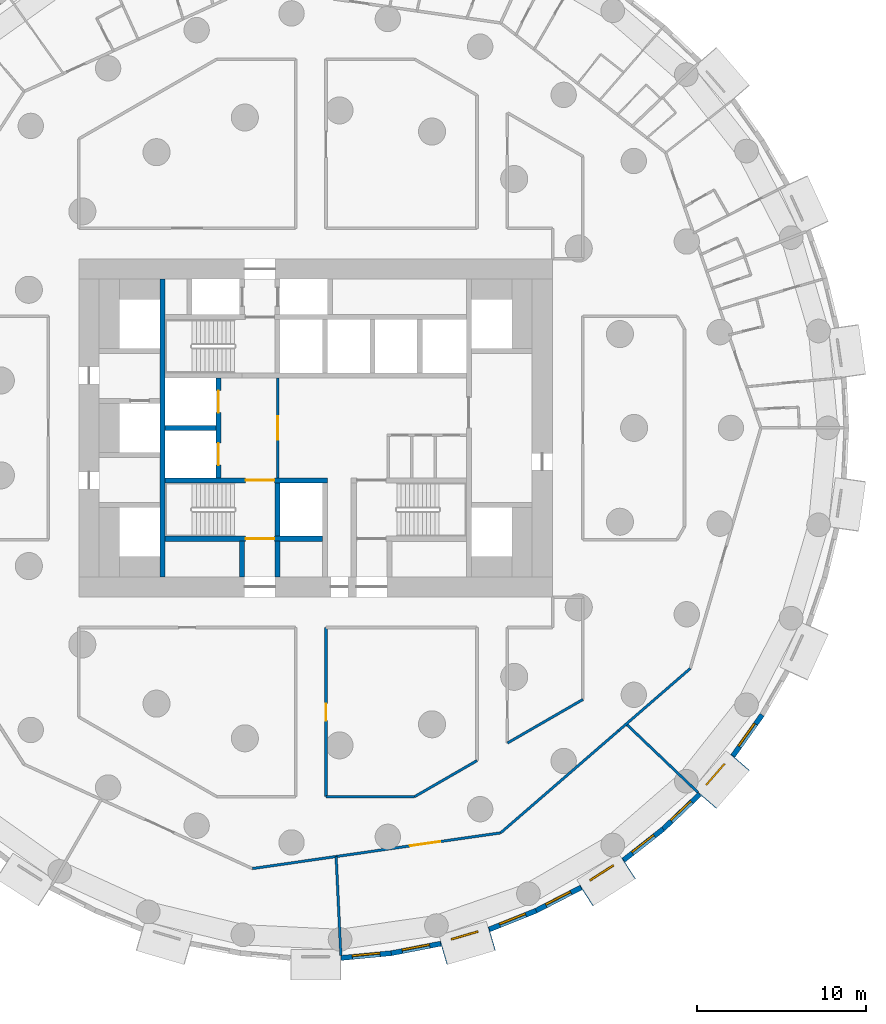
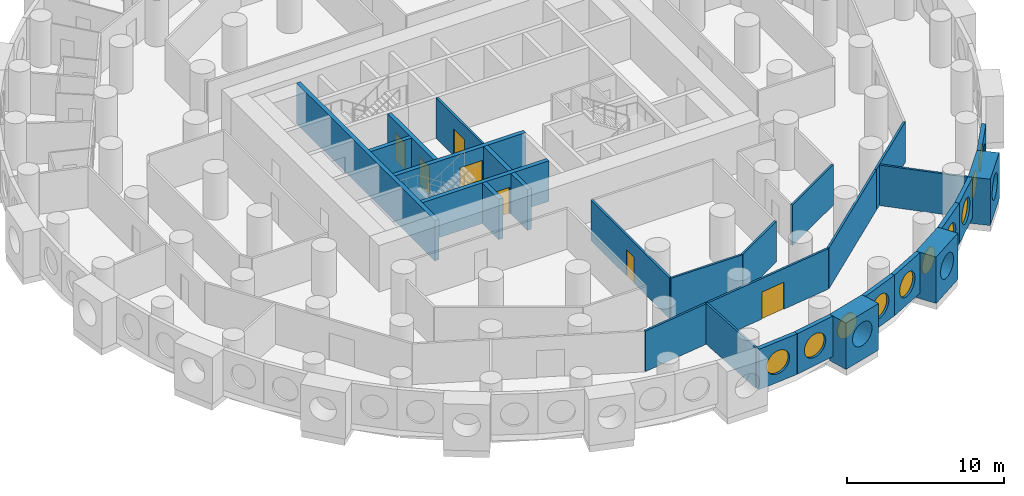
# One storey, part 4 of 12: 28 walls, 10 windows, 7 doors, 17 openings.
"""IFC4 building model written with IfcOpenShell, lengths in metres."""

from ifc_helpers import new_model, si_unit, direction, frame, frame_2d, origin, origin_2d, place, context, subcontext, project, spatial, rectangle, circle, extrude, material, layer, layer_set, type_object, element, fill, save


model = new_model("IFC4")

# Units and contexts
model_context = context("Model", 3, precision=1e-05, world=origin(), true_north=direction((0.0, 1.0)))
body_context = subcontext(model_context, "Body", "Model", "MODEL_VIEW")
ifc_project = project(units=[si_unit("LENGTHUNIT", "METRE"), si_unit("AREAUNIT", "SQUARE_METRE"), si_unit("VOLUMEUNIT", "CUBIC_METRE"), si_unit("PLANEANGLEUNIT", "RADIAN"), si_unit("MASSUNIT", "GRAM", prefix="KILO")], contexts=[model_context])

# Site, building, storey
site_placement = place(None, origin())
site = spatial("IfcSite", under=ifc_project, at=site_placement, CompositionType="ELEMENT")
building_placement = place(site_placement, origin())
building = spatial("IfcBuilding", under=site, at=building_placement, Name="Tracery Tower", CompositionType="ELEMENT")
storey_placement = place(building_placement, frame((0.0, 0.0, 46.199951171875)))
storey = spatial("IfcBuildingStorey", under=building, at=storey_placement, Name="L10", CompositionType="ELEMENT", Elevation=46.199951171875)

# Wall, opening, door
ifc_material_1 = material(Name="Plasterboard on steel studs", Category="steel")
ifc_layer_1 = layer(ifc_material_1, 0.14990234375)
ifc_layer_set_1 = layer_set([ifc_layer_1], Name="Core lobby partition 150")
wall_type_1 = type_object("IfcWallType", Name="Core lobby partition 150", PredefinedType="SOLIDWALL", material=ifc_layer_set_1)
wall_1_placement = place(storey_placement, frame((-2.25, -2.949951171875, 0.0), z_axis=(0.0, 0.0, 1.0), x_axis=(0.0, 1.0, 0.0)))
wall_1 = element("IfcWall", 1, at=wall_1_placement, inside=storey, type_object=wall_type_1, Name="L10 FF lobby E", PredefinedType="SOLIDWALL", context=body_context, shape_type="SweptSolid", body=[
    extrude(rectangle(XDim=5.89990234375, YDim=0.14990234375, at=frame_2d((2.949951171875, 0.0))), origin(), (0.0, 0.0, 1.0), 3.150146484375),
])
opening_1_placement = place(wall_1_placement, frame((2.25, 0.0, 0.0)))
opening_1 = element("IfcOpeningElement", 2, at=opening_1_placement, cuts=wall_1, Name="Opening KD8", PredefinedType="OPENING", context=body_context, shape_type="SweptSolid", body=[
    extrude(rectangle(XDim=1.39990234375, YDim=2.10009765625, at=frame_2d((0.699951171875, 1.050048828125))), frame((0.0, 0.074951171875, 0.0), z_axis=(0.0, -1.0, 0.0), x_axis=(1.0, 0.0, 0.0)), (0.0, 0.0, 1.0), 0.14990234375),
])
ifc_material_2 = material(Name="Steel fire door", Category="steel")
door_type_1 = type_object("IfcDoorType", Name="Core lobby door 1400 double", OperationType="NOTDEFINED", PredefinedType="DOOR", material=ifc_material_2)
door_1_placement = place(opening_1_placement, origin())
door_1 = element("IfcDoor", 3, at=door_1_placement, inside=storey, type_object=door_type_1, Name="Fire-fighting lobby door", OperationType="DOUBLE_DOOR_SINGLE_SWING", OverallHeight=2.10009765625, OverallWidth=1.39990234375, PredefinedType="DOOR", context=body_context, shape_type="SweptSolid", body=[
    extrude(rectangle(XDim=1.39990234375, YDim=2.10009765625, at=frame_2d((0.699951171875, 1.050048828125))), frame((0.0, 0.02490234375, 0.0), z_axis=(0.0, -1.0, 0.0), x_axis=(1.0, 0.0, 0.0)), (0.0, 0.0, 1.0), 0.050048828125),
])
fill(opening_1, door_1)

# Wall, opening, window
ifc_material_3 = material(Name="Precast concrete C50/60", Category="concrete")
ifc_layer_2 = layer(ifc_material_3, 1.449951171875)
ifc_layer_set_2 = layer_set([ifc_layer_2], Name="Deep-set bay unit 3000 x 3600, slab edge 450")
wall_type_2 = type_object("IfcWallType", Name="Deep-set bay unit 3000 x 3600, slab edge 450", PredefinedType="ELEMENTEDWALL", material=ifc_layer_set_2)
wall_2_placement = place(storey_placement, frame((7.552001953125, -31.043701171875, -0.449951171875), z_axis=(0.0, 0.0, 1.0), x_axis=(0.959489813418, 0.281743319258, 0.0)))
wall_2 = element("IfcWall", 4, at=wall_2_placement, inside=storey, type_object=wall_type_2, Name="Deep-set bay unit 53 at L10", PredefinedType="ELEMENTEDWALL", context=body_context, shape_type="SweptSolid", body=[
    extrude(rectangle(XDim=3.0, YDim=1.449951171875, at=frame_2d((1.5, 0.0))), origin(), (0.0, 0.0, 1.0), 3.60009765625),
])
opening_2_placement = place(wall_2_placement, frame((1.5, 0.0, 2.0)))
opening_2 = element("IfcOpeningElement", 5, at=opening_2_placement, cuts=wall_2, Name="Opening WN1", PredefinedType="OPENING", context=body_context, shape_type="SweptSolid", body=[
    extrude(circle(Radius=0.9000244140625, at=origin_2d()), frame((0.0, 0.73486328125, 0.0), z_axis=(0.0, -1.0, 0.0), x_axis=(1.0, 0.0, 0.0)), (0.0, 0.0, 1.0), 1.469970703125),
])
ifc_material_4 = material(Name="Aluminium frame with tinted double glazing", Category="aluminium")
window_type = type_object("IfcWindowType", Name="Round window 1800", PartitioningType="SINGLE_PANEL", PredefinedType="WINDOW", material=ifc_material_4)
window_1_placement = place(opening_2_placement, origin())
window_1 = element("IfcWindow", 6, at=window_1_placement, inside=storey, type_object=window_type, Name="Round window 53 at L10", OverallHeight=1.800048828125, OverallWidth=1.800048828125, PartitioningType="SINGLE_PANEL", PredefinedType="WINDOW", context=body_context, shape_type="SweptSolid", body=[
    extrude(circle(Radius=0.9000244140625, at=origin_2d()), frame((0.0, 0.69482421875, 0.0), z_axis=(0.0, -1.0, 0.0), x_axis=(1.0, 0.0, 0.0)), (0.0, 0.0, 1.0), 0.10009765625),
])
fill(opening_2, window_1)

wall_3_placement = place(storey_placement, frame((15.9921875, -27.65869140625, -0.449951171875), z_axis=(0.0, 0.0, 1.0), x_axis=(0.841223422347, 0.540687667415, 0.0)))
wall_3 = element("IfcWall", 7, at=wall_3_placement, inside=storey, type_object=wall_type_2, Name="Deep-set bay unit 56 at L10", PredefinedType="ELEMENTEDWALL", context=body_context, shape_type="SweptSolid", body=[
    extrude(rectangle(XDim=3.0, YDim=1.449951171875, at=frame_2d((1.5, 0.0))), origin(), (0.0, 0.0, 1.0), 3.60009765625),
])
opening_3_placement = place(wall_3_placement, frame((1.5, 0.0, 2.0)))
opening_3 = element("IfcOpeningElement", 8, at=opening_3_placement, cuts=wall_3, Name="Opening WN1", PredefinedType="OPENING", context=body_context, shape_type="SweptSolid", body=[
    extrude(circle(Radius=0.9000244140625, at=origin_2d()), frame((0.0, 0.73486328125, 0.0), z_axis=(0.0, -1.0, 0.0), x_axis=(1.0, 0.0, 0.0)), (0.0, 0.0, 1.0), 1.469970703125),
])
window_2_placement = place(opening_3_placement, origin())
window_2 = element("IfcWindow", 9, at=window_2_placement, inside=storey, type_object=window_type, Name="Round window 56 at L10", OverallHeight=1.800048828125, OverallWidth=1.800048828125, PartitioningType="SINGLE_PANEL", PredefinedType="WINDOW", context=body_context, shape_type="SweptSolid", body=[
    extrude(circle(Radius=0.9000244140625, at=origin_2d()), frame((0.0, 0.69482421875, 0.0), z_axis=(0.0, -1.0, 0.0), x_axis=(1.0, 0.0, 0.0)), (0.0, 0.0, 1.0), 0.10009765625),
])
fill(opening_3, window_2)

wall_4_placement = place(storey_placement, frame((23.13671875, -22.03271484375, -0.449951171875), z_axis=(0.0, 0.0, 1.0), x_axis=(0.654890259022, 0.75572398972, 0.0)))
wall_4 = element("IfcWall", 10, at=wall_4_placement, inside=storey, type_object=wall_type_2, Name="Deep-set bay unit 59 at L10", PredefinedType="ELEMENTEDWALL", context=body_context, shape_type="SweptSolid", body=[
    extrude(rectangle(XDim=3.0, YDim=1.449951171875, at=frame_2d((1.5, 0.0))), origin(), (0.0, 0.0, 1.0), 3.60009765625),
])
opening_4_placement = place(wall_4_placement, frame((1.5, 0.0, 2.0)))
opening_4 = element("IfcOpeningElement", 11, at=opening_4_placement, cuts=wall_4, Name="Opening WN1", PredefinedType="OPENING", context=body_context, shape_type="SweptSolid", body=[
    extrude(circle(Radius=0.9000244140625, at=origin_2d()), frame((0.0, 0.73486328125, 0.0), z_axis=(0.0, -1.0, 0.0), x_axis=(1.0, 0.0, 0.0)), (0.0, 0.0, 1.0), 1.469970703125),
])
window_3_placement = place(opening_4_placement, origin())
window_3 = element("IfcWindow", 12, at=window_3_placement, inside=storey, type_object=window_type, Name="Round window 59 at L10", OverallHeight=1.800048828125, OverallWidth=1.800048828125, PartitioningType="SINGLE_PANEL", PredefinedType="WINDOW", context=body_context, shape_type="SweptSolid", body=[
    extrude(circle(Radius=0.9000244140625, at=origin_2d()), frame((0.0, 0.69482421875, 0.0), z_axis=(0.0, -1.0, 0.0), x_axis=(1.0, 0.0, 0.0)), (0.0, 0.0, 1.0), 0.10009765625),
])
fill(opening_4, window_3)

ifc_material_5 = material(Name="Precast concrete C50/60", Category="concrete")
ifc_layer_3 = layer(ifc_material_5, 0.300048828125)
ifc_layer_set_3 = layer_set([ifc_layer_3], Name="Facade panel 3000 x 3150")
wall_type_3 = type_object("IfcWallType", Name="Facade panel 3000 x 3150", PredefinedType="SOLIDWALL", material=ifc_layer_set_3)
wall_5_placement = place(storey_placement, frame((1.498779296875, -31.33837890625, 0.0), z_axis=(0.0, 0.0, 1.0), x_axis=(0.995473351551, 0.095041077185, 0.0)))
wall_5 = element("IfcWall", 13, at=wall_5_placement, inside=storey, type_object=wall_type_3, Name="Facade panel 51 at L10", PredefinedType="SOLIDWALL", context=body_context, shape_type="SweptSolid", body=[
    extrude(rectangle(XDim=2.979736328125, YDim=0.300048828125, at=frame_2d((1.48974609375, 0.0))), origin(), (0.0, 0.0, 1.0), 3.150146484375),
])
opening_5_placement = place(wall_5_placement, frame((1.48974609375, 0.0, 1.5498046875)))
opening_5 = element("IfcOpeningElement", 14, at=opening_5_placement, cuts=wall_5, Name="Opening WN1", PredefinedType="OPENING", context=body_context, shape_type="SweptSolid", body=[
    extrude(circle(Radius=0.9000244140625, at=origin_2d()), frame((0.0, 0.159912109375, 0.0), z_axis=(0.0, -1.0, 0.0), x_axis=(1.0, 0.0, 0.0)), (0.0, 0.0, 1.0), 0.320068359375),
])
window_4_placement = place(opening_5_placement, origin())
window_4 = element("IfcWindow", 15, at=window_4_placement, inside=storey, type_object=window_type, Name="Round window 51 at L10", OverallHeight=1.800048828125, OverallWidth=1.800048828125, PartitioningType="SINGLE_PANEL", PredefinedType="WINDOW", context=body_context, shape_type="SweptSolid", body=[
    extrude(circle(Radius=0.9000244140625, at=origin_2d()), frame((0.0, 0.1201171875, 0.0), z_axis=(0.0, -1.0, 0.0), x_axis=(1.0, 0.0, 0.0)), (0.0, 0.0, 1.0), 0.10009765625),
])
fill(opening_5, window_4)

wall_6_placement = place(storey_placement, frame((4.465087890625, -31.05517578125, 0.0), z_axis=(0.0, 0.0, 1.0), x_axis=(0.981924535406, 0.189272836848, 0.0)))
wall_6 = element("IfcWall", 16, at=wall_6_placement, inside=storey, type_object=wall_type_3, Name="Facade panel 52 at L10", PredefinedType="SOLIDWALL", context=body_context, shape_type="SweptSolid", body=[
    extrude(rectangle(XDim=2.979736328125, YDim=0.300048828125, at=frame_2d((1.48974609375, 0.0))), origin(), (0.0, 0.0, 1.0), 3.150146484375),
])
opening_6_placement = place(wall_6_placement, frame((1.48974609375, 0.0, 1.5498046875)))
opening_6 = element("IfcOpeningElement", 17, at=opening_6_placement, cuts=wall_6, Name="Opening WN1", PredefinedType="OPENING", context=body_context, shape_type="SweptSolid", body=[
    extrude(circle(Radius=0.9000244140625, at=origin_2d()), frame((0.0, 0.159912109375, 0.0), z_axis=(0.0, -1.0, 0.0), x_axis=(1.0, 0.0, 0.0)), (0.0, 0.0, 1.0), 0.320068359375),
])
window_5_placement = place(opening_6_placement, origin())
window_5 = element("IfcWindow", 18, at=window_5_placement, inside=storey, type_object=window_type, Name="Round window 52 at L10", OverallHeight=1.800048828125, OverallWidth=1.800048828125, PartitioningType="SINGLE_PANEL", PredefinedType="WINDOW", context=body_context, shape_type="SweptSolid", body=[
    extrude(circle(Radius=0.9000244140625, at=origin_2d()), frame((0.0, 0.1201171875, 0.0), z_axis=(0.0, -1.0, 0.0), x_axis=(1.0, 0.0, 0.0)), (0.0, 0.0, 1.0), 0.10009765625),
])
fill(opening_6, window_5)

wall_7_placement = place(storey_placement, frame((10.26708984375, -29.646484375, 0.0), z_axis=(0.0, 0.0, 1.0), x_axis=(0.928403213937, 0.371574316054, 0.0)))
wall_7 = element("IfcWall", 19, at=wall_7_placement, inside=storey, type_object=wall_type_3, Name="Facade panel 54 at L10", PredefinedType="SOLIDWALL", context=body_context, shape_type="SweptSolid", body=[
    extrude(rectangle(XDim=2.979736328125, YDim=0.300048828125, at=frame_2d((1.48974609375, 0.0))), origin(), (0.0, 0.0, 1.0), 3.150146484375),
])
opening_7_placement = place(wall_7_placement, frame((1.48974609375, 0.0, 1.5498046875)))
opening_7 = element("IfcOpeningElement", 20, at=opening_7_placement, cuts=wall_7, Name="Opening WN1", PredefinedType="OPENING", context=body_context, shape_type="SweptSolid", body=[
    extrude(circle(Radius=0.9000244140625, at=origin_2d()), frame((0.0, 0.159912109375, 0.0), z_axis=(0.0, -1.0, 0.0), x_axis=(1.0, 0.0, 0.0)), (0.0, 0.0, 1.0), 0.320068359375),
])
window_6_placement = place(opening_7_placement, origin())
window_6 = element("IfcWindow", 21, at=window_6_placement, inside=storey, type_object=window_type, Name="Round window 54 at L10", OverallHeight=1.800048828125, OverallWidth=1.800048828125, PartitioningType="SINGLE_PANEL", PredefinedType="WINDOW", context=body_context, shape_type="SweptSolid", body=[
    extrude(circle(Radius=0.9000244140625, at=origin_2d()), frame((0.0, 0.1201171875, 0.0), z_axis=(0.0, -1.0, 0.0), x_axis=(1.0, 0.0, 0.0)), (0.0, 0.0, 1.0), 0.10009765625),
])
fill(opening_7, window_6)

wall_8_placement = place(storey_placement, frame((13.033447265625, -28.539306640625, 0.0), z_axis=(0.0, 0.0, 1.0), x_axis=(0.888819853856, 0.458256770153, 0.0)))
wall_8 = element("IfcWall", 22, at=wall_8_placement, inside=storey, type_object=wall_type_3, Name="Facade panel 55 at L10", PredefinedType="SOLIDWALL", context=body_context, shape_type="SweptSolid", body=[
    extrude(rectangle(XDim=2.979736328125, YDim=0.300048828125, at=frame_2d((1.48974609375, 0.0))), origin(), (0.0, 0.0, 1.0), 3.150146484375),
])
opening_8_placement = place(wall_8_placement, frame((1.48974609375, 0.0, 1.5498046875)))
opening_8 = element("IfcOpeningElement", 23, at=opening_8_placement, cuts=wall_8, Name="Opening WN1", PredefinedType="OPENING", context=body_context, shape_type="SweptSolid", body=[
    extrude(circle(Radius=0.9000244140625, at=origin_2d()), frame((0.0, 0.159912109375, 0.0), z_axis=(0.0, -1.0, 0.0), x_axis=(1.0, 0.0, 0.0)), (0.0, 0.0, 1.0), 0.320068359375),
])
window_7_placement = place(opening_8_placement, origin())
window_7 = element("IfcWindow", 24, at=window_7_placement, inside=storey, type_object=window_type, Name="Round window 55 at L10", OverallHeight=1.800048828125, OverallWidth=1.800048828125, PartitioningType="SINGLE_PANEL", PredefinedType="WINDOW", context=body_context, shape_type="SweptSolid", body=[
    extrude(circle(Radius=0.9000244140625, at=origin_2d()), frame((0.0, 0.1201171875, 0.0), z_axis=(0.0, -1.0, 0.0), x_axis=(1.0, 0.0, 0.0)), (0.0, 0.0, 1.0), 0.10009765625),
])
fill(opening_8, window_7)

wall_9_placement = place(storey_placement, frame((18.20361328125, -25.55322265625, 0.0), z_axis=(0.0, 0.0, 1.0), x_axis=(0.786045331304, 0.618168858108, 0.0)))
wall_9 = element("IfcWall", 25, at=wall_9_placement, inside=storey, type_object=wall_type_3, Name="Facade panel 57 at L10", PredefinedType="SOLIDWALL", context=body_context, shape_type="SweptSolid", body=[
    extrude(rectangle(XDim=2.979736328125, YDim=0.300048828125, at=frame_2d((1.48974609375, 0.0))), origin(), (0.0, 0.0, 1.0), 3.150146484375),
])
opening_9_placement = place(wall_9_placement, frame((1.48974609375, 0.0, 1.5498046875)))
opening_9 = element("IfcOpeningElement", 26, at=opening_9_placement, cuts=wall_9, Name="Opening WN1", PredefinedType="OPENING", context=body_context, shape_type="SweptSolid", body=[
    extrude(circle(Radius=0.9000244140625, at=origin_2d()), frame((0.0, 0.159912109375, 0.0), z_axis=(0.0, -1.0, 0.0), x_axis=(1.0, 0.0, 0.0)), (0.0, 0.0, 1.0), 0.320068359375),
])
window_8_placement = place(opening_9_placement, origin())
window_8 = element("IfcWindow", 27, at=window_8_placement, inside=storey, type_object=window_type, Name="Round window 57 at L10", OverallHeight=1.800048828125, OverallWidth=1.800048828125, PartitioningType="SINGLE_PANEL", PredefinedType="WINDOW", context=body_context, shape_type="SweptSolid", body=[
    extrude(circle(Radius=0.9000244140625, at=origin_2d()), frame((0.0, 0.1201171875, 0.0), z_axis=(0.0, -1.0, 0.0), x_axis=(1.0, 0.0, 0.0)), (0.0, 0.0, 1.0), 0.10009765625),
])
fill(opening_9, window_8)

wall_10_placement = place(storey_placement, frame((20.5458984375, -23.711181640625, 0.0), z_axis=(0.0, 0.0, 1.0), x_axis=(0.723744206617, 0.690068346896, 0.0)))
wall_10 = element("IfcWall", 28, at=wall_10_placement, inside=storey, type_object=wall_type_3, Name="Facade panel 58 at L10", PredefinedType="SOLIDWALL", context=body_context, shape_type="SweptSolid", body=[
    extrude(rectangle(XDim=2.979736328125, YDim=0.300048828125, at=frame_2d((1.48974609375, 0.0))), origin(), (0.0, 0.0, 1.0), 3.150146484375),
])
opening_10_placement = place(wall_10_placement, frame((1.48974609375, 0.0, 1.5498046875)))
opening_10 = element("IfcOpeningElement", 29, at=opening_10_placement, cuts=wall_10, Name="Opening WN1", PredefinedType="OPENING", context=body_context, shape_type="SweptSolid", body=[
    extrude(circle(Radius=0.9000244140625, at=origin_2d()), frame((0.0, 0.159912109375, 0.0), z_axis=(0.0, -1.0, 0.0), x_axis=(1.0, 0.0, 0.0)), (0.0, 0.0, 1.0), 0.320068359375),
])
window_9_placement = place(opening_10_placement, origin())
window_9 = element("IfcWindow", 30, at=window_9_placement, inside=storey, type_object=window_type, Name="Round window 58 at L10", OverallHeight=1.800048828125, OverallWidth=1.800048828125, PartitioningType="SINGLE_PANEL", PredefinedType="WINDOW", context=body_context, shape_type="SweptSolid", body=[
    extrude(circle(Radius=0.9000244140625, at=origin_2d()), frame((0.0, 0.1201171875, 0.0), z_axis=(0.0, -1.0, 0.0), x_axis=(1.0, 0.0, 0.0)), (0.0, 0.0, 1.0), 0.10009765625),
])
fill(opening_10, window_9)

wall_11_placement = place(storey_placement, frame((24.66552734375, -19.389404296875, 0.0), z_axis=(0.0, 0.0, 1.0), x_axis=(0.580059407678, 0.81457417315, 0.0)))
wall_11 = element("IfcWall", 31, at=wall_11_placement, inside=storey, type_object=wall_type_3, Name="Facade panel 60 at L10", PredefinedType="SOLIDWALL", context=body_context, shape_type="SweptSolid", body=[
    extrude(rectangle(XDim=2.9794921875, YDim=0.300048828125, at=frame_2d((1.48974609375, 0.0))), origin(), (0.0, 0.0, 1.0), 3.150146484375),
])
opening_11_placement = place(wall_11_placement, frame((1.48974609375, 0.0, 1.5498046875)))
opening_11 = element("IfcOpeningElement", 32, at=opening_11_placement, cuts=wall_11, Name="Opening WN1", PredefinedType="OPENING", context=body_context, shape_type="SweptSolid", body=[
    extrude(circle(Radius=0.9000244140625, at=origin_2d()), frame((0.0, 0.159912109375, 0.0), z_axis=(0.0, -1.0, 0.0), x_axis=(1.0, 0.0, 0.0)), (0.0, 0.0, 1.0), 0.320068359375),
])
window_10_placement = place(opening_11_placement, origin())
window_10 = element("IfcWindow", 33, at=window_10_placement, inside=storey, type_object=window_type, Name="Round window 60 at L10", OverallHeight=1.800048828125, OverallWidth=1.800048828125, PartitioningType="SINGLE_PANEL", PredefinedType="WINDOW", context=body_context, shape_type="SweptSolid", body=[
    extrude(circle(Radius=0.9000244140625, at=origin_2d()), frame((0.0, 0.1201171875, 0.0), z_axis=(0.0, -1.0, 0.0), x_axis=(1.0, 0.0, 0.0)), (0.0, 0.0, 1.0), 0.10009765625),
])
fill(opening_11, window_10)

# Walls
ifc_material_6 = material(Name="Plasterboard on steel studs", Category="steel")
ifc_layer_4 = layer(ifc_material_6, 0.14990234375)
ifc_layer_set_4 = layer_set([ifc_layer_4], Name="Partition 150 acoustic unit wall")
wall_type_4 = type_object("IfcWallType", Name="Partition 150 acoustic unit wall", PredefinedType="PARTITIONING", material=ifc_layer_set_4)
for number, where, z_axis, x_axis, name in (
    (34, (1.20703125, -25.339111328125, 0.0), (0.0, 0.0, 1.0), (0.047648334785, -0.998864173045, 0.0), "Unit wall RA2-121"),
    (35, (18.35888671875, -17.506103515625, 0.0), (0.0, 0.0, 1.0), (0.723808715798, -0.690000683286, 0.0), "Unit wall RA2-122"),
):
    element("IfcWall", number, at=place(storey_placement, frame(where, z_axis=z_axis, x_axis=x_axis)), inside=storey, type_object=wall_type_4, Name=name, PredefinedType="PARTITIONING", context=body_context, shape_type="SweptSolid", body=[
        extrude(rectangle(XDim=5.8564453125, YDim=0.14990234375, at=frame_2d((2.92822265625, 0.0))), origin(), (0.0, 0.0, 1.0), 3.150146484375),
    ])
ifc_material_7 = material(Name="Plasterboard on steel studs", Category="steel")
ifc_layer_5 = layer(ifc_material_7, 0.14990234375)
ifc_layer_set_5 = layer_set([ifc_layer_5], Name="Partition 150 corridor wall")
wall_type_5 = type_object("IfcWallType", Name="Partition 150 corridor wall", PredefinedType="PARTITIONING", material=ifc_layer_set_5)
wall_12_placement = place(storey_placement, frame((17.902099609375, -17.902099609375, 0.0), z_axis=(0.0, 0.0, 1.0), x_axis=(0.755408961329, 0.655253615895, 0.0)))
element("IfcWall", 36, at=wall_12_placement, inside=storey, type_object=wall_type_5, Name="Corridor wall RA2-022", PredefinedType="PARTITIONING", context=body_context, shape_type="SweptSolid", body=[
    extrude(rectangle(XDim=5.60888671875, YDim=0.14990234375, at=frame_2d((2.804443359375, 0.0))), origin(), (0.0, 0.0, 1.0), 3.150146484375),
])

# Wall, opening, door
wall_13_placement = place(storey_placement, frame((0.60791015625, -21.802001953125, 0.0), z_axis=(0.0, 0.0, 1.0), x_axis=(0.0, 1.0, 0.0)))
wall_13 = element("IfcWall", 37, at=wall_13_placement, inside=storey, type_object=wall_type_5, Name="Corridor wall RA2-049", PredefinedType="PARTITIONING", context=body_context, shape_type="SweptSolid", body=[
    extrude(rectangle(XDim=10.001953125, YDim=0.14990234375, at=frame_2d((5.0009765625, 0.0))), origin(), (0.0, 0.0, 1.0), 3.150146484375),
])
opening_12_placement = place(wall_13_placement, frame((4.5009765625, 0.0, 0.0)))
opening_12 = element("IfcOpeningElement", 38, at=opening_12_placement, cuts=wall_13, Name="Opening RA2-05", PredefinedType="OPENING", context=body_context, shape_type="SweptSolid", body=[
    extrude(rectangle(XDim=1.0, YDim=2.0400390625, at=frame_2d((0.5, 1.02001953125))), frame((0.0, 0.074951171875, 0.0), z_axis=(0.0, -1.0, 0.0), x_axis=(1.0, 0.0, 0.0)), (0.0, 0.0, 1.0), 0.14990234375),
])
ifc_material_8 = material(Name="Timber door leaf", Category="wood")
door_type_2 = type_object("IfcDoorType", Name="Door communal room 1000", OperationType="NOTDEFINED", PredefinedType="DOOR", material=ifc_material_8)
door_2_placement = place(opening_12_placement, origin())
door_2 = element("IfcDoor", 39, at=door_2_placement, inside=storey, type_object=door_type_2, Name="Communal room door RA2-05", OperationType="SINGLE_SWING_RIGHT", OverallHeight=2.0400390625, OverallWidth=1.0, PredefinedType="DOOR", context=body_context, shape_type="SweptSolid", body=[
    extrude(rectangle(XDim=1.0, YDim=2.0400390625, at=frame_2d((0.5, 1.02001953125))), frame((0.0, 0.02490234375, 0.0), z_axis=(0.0, -1.0, 0.0), x_axis=(1.0, 0.0, 0.0)), (0.0, 0.0, 1.0), 0.050048828125),
])
fill(opening_12, door_2)

# Walls
wall_14_placement = place(storey_placement, frame((0.60791015625, -21.802001953125, 0.0), z_axis=(0.0, 0.0, 1.0), x_axis=(1.0, 0.0, 0.0)))
element("IfcWall", 40, at=wall_14_placement, inside=storey, type_object=wall_type_5, Name="Corridor wall RA2-050", PredefinedType="PARTITIONING", context=body_context, shape_type="SweptSolid", body=[
    extrude(rectangle(XDim=5.234130859375, YDim=0.14990234375, at=frame_2d((2.6171875, 0.0))), origin(), (0.0, 0.0, 1.0), 3.150146484375),
])
wall_15_placement = place(storey_placement, frame((5.842041015625, -21.802001953125, 0.0), z_axis=(0.0, 0.0, 1.0), x_axis=(0.865983505205, 0.500072563448, 0.0)))
element("IfcWall", 41, at=wall_15_placement, inside=storey, type_object=wall_type_5, Name="Corridor wall RA2-051", PredefinedType="PARTITIONING", context=body_context, shape_type="SweptSolid", body=[
    extrude(rectangle(XDim=4.265380859375, YDim=0.14990234375, at=frame_2d((2.1328125, 0.0))), origin(), (0.0, 0.0, 1.0), 3.150146484375),
])
wall_16_placement = place(storey_placement, frame((11.3359375, -18.6298828125, 0.0), z_axis=(0.0, 0.0, 1.0), x_axis=(0.866063337164, 0.499934291702, 0.0)))
element("IfcWall", 42, at=wall_16_placement, inside=storey, type_object=wall_type_5, Name="Corridor wall RA2-054", PredefinedType="PARTITIONING", context=body_context, shape_type="SweptSolid", body=[
    extrude(rectangle(XDim=5.154541015625, YDim=0.14990234375, at=frame_2d((2.5771484375, 0.0))), origin(), (0.0, 0.0, 1.0), 3.150146484375),
])

# Wall, opening, door
wall_17_placement = place(storey_placement, frame((-3.74609375, -26.051025390625, 0.0), z_axis=(0.0, 0.0, 1.0), x_axis=(0.9898137179, 0.142368549395, 0.0)))
wall_17 = element("IfcWall", 43, at=wall_17_placement, inside=storey, type_object=wall_type_5, Name="Corridor wall RA2-056", PredefinedType="PARTITIONING", context=body_context, shape_type="SweptSolid", body=[
    extrude(rectangle(XDim=14.830078125, YDim=0.14990234375, at=frame_2d((7.4150390625, 0.0))), origin(), (0.0, 0.0, 1.0), 3.150146484375),
])
opening_13_placement = place(wall_17_placement, frame((9.4150390625, 0.0, 0.0)))
opening_13 = element("IfcOpeningElement", 44, at=opening_13_placement, cuts=wall_17, Name="Opening RA2-49", PredefinedType="OPENING", context=body_context, shape_type="SweptSolid", body=[
    extrude(rectangle(XDim=1.800048828125, YDim=2.10009765625, at=frame_2d((0.89990234375, 1.050048828125))), frame((0.0, 0.074951171875, 0.0), z_axis=(0.0, -1.0, 0.0), x_axis=(1.0, 0.0, 0.0)), (0.0, 0.0, 1.0), 0.14990234375),
])
ifc_material_9 = material(Name="Timber door leaf", Category="wood")
door_type_3 = type_object("IfcDoorType", Name="Door double lounge 1800", OperationType="NOTDEFINED", PredefinedType="DOOR", material=ifc_material_9)
door_3_placement = place(opening_13_placement, origin())
door_3 = element("IfcDoor", 45, at=door_3_placement, inside=storey, type_object=door_type_3, Name="Double lounge door RA2-49", OperationType="DOUBLE_DOOR_SINGLE_SWING", OverallHeight=2.10009765625, OverallWidth=1.800048828125, PredefinedType="DOOR", context=body_context, shape_type="SweptSolid", body=[
    extrude(rectangle(XDim=1.800048828125, YDim=2.10009765625, at=frame_2d((0.89990234375, 1.050048828125))), frame((0.0, 0.02490234375, 0.0), z_axis=(0.0, -1.0, 0.0), x_axis=(1.0, 0.0, 0.0)), (0.0, 0.0, 1.0), 0.050048828125),
])
fill(opening_13, door_3)

# Walls
wall_18_placement = place(storey_placement, frame((10.93310546875, -23.93994140625, 0.0), z_axis=(0.0, 0.0, 1.0), x_axis=(0.755793907002, 0.654809567843, 0.0)))
element("IfcWall", 46, at=wall_18_placement, inside=storey, type_object=wall_type_5, Name="Corridor wall RA2-057", PredefinedType="PARTITIONING", context=body_context, shape_type="SweptSolid", body=[
    extrude(rectangle(XDim=9.220703125, YDim=0.14990234375, at=frame_2d((4.6103515625, 0.0))), origin(), (0.0, 0.0, 1.0), 3.150146484375),
])
ifc_material_10 = material(Name="Concrete C60/75", Category="concrete")
ifc_layer_6 = layer(ifc_material_10, 0.300048828125)
ifc_layer_set_6 = layer_set([ifc_layer_6], Name="Shaft wall 300 C60")
wall_type_6 = type_object("IfcWallType", Name="Shaft wall 300 C60", PredefinedType="SOLIDWALL", material=ifc_layer_set_6)
wall_19_placement = place(storey_placement, frame((-8.89990234375, 0.0, 0.0), z_axis=(0.0, 0.0, 1.0), x_axis=(1.0, 0.0, 0.0)))
element("IfcWall", 47, at=wall_19_placement, inside=storey, type_object=wall_type_6, Name="L10 FF split", PredefinedType="SOLIDWALL", context=body_context, shape_type="SweptSolid", body=[
    extrude(rectangle(XDim=3.0, YDim=0.300048828125, at=frame_2d((1.5, 0.0))), origin(), (0.0, 0.0, 1.0), 3.150146484375),
])

# Wall, openings, doors
wall_20_placement = place(storey_placement, frame((-5.75, -2.949951171875, 0.0), z_axis=(0.0, 0.0, 1.0), x_axis=(0.0, 1.0, 0.0)))
wall_20 = element("IfcWall", 48, at=wall_20_placement, inside=storey, type_object=wall_type_6, Name="L10 FF doors", PredefinedType="SOLIDWALL", context=body_context, shape_type="SweptSolid", body=[
    extrude(rectangle(XDim=5.89990234375, YDim=0.300048828125, at=frame_2d((2.949951171875, 0.0))), origin(), (0.0, 0.0, 1.0), 3.150146484375),
])
opening_14_placement = place(wall_20_placement, frame((0.75, 0.0, 0.0)))
opening_14 = element("IfcOpeningElement", 49, at=opening_14_placement, cuts=wall_20, Name="Opening KD54", PredefinedType="OPENING", context=body_context, shape_type="SweptSolid", body=[
    extrude(rectangle(XDim=1.300048828125, YDim=2.10009765625, at=frame_2d((0.64990234375, 1.050048828125))), frame((0.0, 0.14990234375, 0.0), z_axis=(0.0, -1.0, 0.0), x_axis=(1.0, 0.0, 0.0)), (0.0, 0.0, 1.0), 0.300048828125),
])
opening_15_placement = place(wall_20_placement, frame((3.85009765625, 0.0, 0.0)))
opening_15 = element("IfcOpeningElement", 50, at=opening_15_placement, cuts=wall_20, Name="Opening KD55", PredefinedType="OPENING", context=body_context, shape_type="SweptSolid", body=[
    extrude(rectangle(XDim=1.300048828125, YDim=2.10009765625, at=frame_2d((0.64990234375, 1.050048828125))), frame((0.0, 0.14990234375, 0.0), z_axis=(0.0, -1.0, 0.0), x_axis=(1.0, 0.0, 0.0)), (0.0, 0.0, 1.0), 0.300048828125),
])
ifc_material_11 = material(Name="Steel fire door", Category="steel")
door_type_4 = type_object("IfcDoorType", Name="Landing door FF 1300", OperationType="NOTDEFINED", PredefinedType="DOOR", material=ifc_material_11)
door_4_placement = place(opening_14_placement, origin())
door_4 = element("IfcDoor", 51, at=door_4_placement, inside=storey, type_object=door_type_4, Name="Landing door FF1", OperationType="SLIDING_TO_LEFT", OverallHeight=2.10009765625, OverallWidth=1.300048828125, PredefinedType="DOOR", context=body_context, shape_type="SweptSolid", body=[
    extrude(rectangle(XDim=1.300048828125, YDim=2.10009765625, at=frame_2d((0.64990234375, 1.050048828125))), frame((0.0, 0.02490234375, 0.0), z_axis=(0.0, -1.0, 0.0), x_axis=(1.0, 0.0, 0.0)), (0.0, 0.0, 1.0), 0.050048828125),
])
fill(opening_14, door_4)
door_5_placement = place(opening_15_placement, origin())
door_5 = element("IfcDoor", 52, at=door_5_placement, inside=storey, type_object=door_type_4, Name="Landing door FF2", OperationType="SLIDING_TO_RIGHT", OverallHeight=2.10009765625, OverallWidth=1.300048828125, PredefinedType="DOOR", context=body_context, shape_type="SweptSolid", body=[
    extrude(rectangle(XDim=1.300048828125, YDim=2.10009765625, at=frame_2d((0.64990234375, 1.050048828125))), frame((0.0, 0.02490234375, 0.0), z_axis=(0.0, -1.0, 0.0), x_axis=(1.0, 0.0, 0.0)), (0.0, 0.0, 1.0), 0.050048828125),
])
fill(opening_15, door_5)

# Wall
wall_21_placement = place(storey_placement, frame((-4.35009765625, -8.800048828125, 0.0), z_axis=(0.0, 0.0, 1.0), x_axis=(0.0, 1.0, 0.0)))
element("IfcWall", 53, at=wall_21_placement, inside=storey, type_object=wall_type_6, Name="L10 band S -4.35", PredefinedType="SOLIDWALL", context=body_context, shape_type="SweptSolid", body=[
    extrude(rectangle(XDim=2.10009765625, YDim=0.300048828125, at=frame_2d((1.050048828125, 0.0))), origin(), (0.0, 0.0, 1.0), 3.150146484375),
])

# Wall, opening, door
ifc_material_12 = material(Name="Concrete C60/75", Category="concrete")
ifc_layer_7 = layer(ifc_material_12, 0.300048828125)
ifc_layer_set_7 = layer_set([ifc_layer_7], Name="Stair wall 300 C60")
wall_type_7 = type_object("IfcWallType", Name="Stair wall 300 C60", PredefinedType="SOLIDWALL", material=ifc_layer_set_7)
wall_22_placement = place(storey_placement, frame((-8.89990234375, -3.10009765625, 0.0), z_axis=(0.0, 0.0, 1.0), x_axis=(1.0, 0.0, 0.0)))
wall_22 = element("IfcWall", 54, at=wall_22_placement, inside=storey, type_object=wall_type_7, Name="L10 row S", PredefinedType="SOLIDWALL", context=body_context, shape_type="SweptSolid", body=[
    extrude(rectangle(XDim=9.599853515625, YDim=0.300048828125, at=frame_2d((4.7998046875, 0.0))), origin(), (0.0, 0.0, 1.0), 3.150146484375),
])
opening_16_placement = place(wall_22_placement, frame((4.75, 0.0, 0.0)))
opening_16 = element("IfcOpeningElement", 55, at=opening_16_placement, cuts=wall_22, Name="Opening KD3", PredefinedType="OPENING", context=body_context, shape_type="SweptSolid", body=[
    extrude(rectangle(XDim=1.699951171875, YDim=2.10009765625, at=frame_2d((0.85009765625, 1.050048828125))), frame((0.0, 0.14990234375, 0.0), z_axis=(0.0, -1.0, 0.0), x_axis=(1.0, 0.0, 0.0)), (0.0, 0.0, 1.0), 0.300048828125),
])
ifc_material_13 = material(Name="Steel fire door", Category="steel")
door_type_5 = type_object("IfcDoorType", Name="Core stair door 1700 double", OperationType="NOTDEFINED", PredefinedType="DOOR", material=ifc_material_13)
door_6_placement = place(opening_16_placement, origin())
door_6 = element("IfcDoor", 56, at=door_6_placement, inside=storey, type_object=door_type_5, Name="Stair door ST1", OperationType="DOUBLE_DOOR_SINGLE_SWING", OverallHeight=2.10009765625, OverallWidth=1.699951171875, PredefinedType="DOOR", context=body_context, shape_type="SweptSolid", body=[
    extrude(rectangle(XDim=1.699951171875, YDim=2.10009765625, at=frame_2d((0.85009765625, 1.050048828125))), frame((0.0, 0.02490234375, 0.0), z_axis=(0.0, -1.0, 0.0), x_axis=(1.0, 0.0, 0.0)), (0.0, 0.0, 1.0), 0.050048828125),
])
fill(opening_16, door_6)

# Walls
wall_23_placement = place(storey_placement, frame((-2.25, -6.39990234375, 0.0), z_axis=(0.0, 0.0, 1.0), x_axis=(0.0, 1.0, 0.0)))
element("IfcWall", 57, at=wall_23_placement, inside=storey, type_object=wall_type_7, Name="L10 ST1 E", PredefinedType="SOLIDWALL", context=body_context, shape_type="SweptSolid", body=[
    extrude(rectangle(XDim=3.14990234375, YDim=0.300048828125, at=frame_2d((1.574951171875, 0.0))), origin(), (0.0, 0.0, 1.0), 3.150146484375),
])
wall_24_placement = place(storey_placement, frame((-9.050048828125, -8.800048828125, 0.0), z_axis=(0.0, 0.0, 1.0), x_axis=(0.0, 1.0, 0.0)))
element("IfcWall", 58, at=wall_24_placement, inside=storey, type_object=wall_type_7, Name="L10 F wall -9", PredefinedType="SOLIDWALL", context=body_context, shape_type="SweptSolid", body=[
    extrude(rectangle(XDim=17.60009765625, YDim=0.300048828125, at=frame_2d((8.800048828125, 0.0))), origin(), (0.0, 0.0, 1.0), 3.150146484375),
])

# Wall, opening, door
wall_25_placement = place(storey_placement, frame((-8.89990234375, -6.550048828125, 0.0), z_axis=(0.0, 0.0, 1.0), x_axis=(1.0, 0.0, 0.0)))
wall_25 = element("IfcWall", 59, at=wall_25_placement, inside=storey, type_object=wall_type_7, Name="L10 F S W", PredefinedType="SOLIDWALL", context=body_context, shape_type="SweptSolid", body=[
    extrude(rectangle(XDim=9.2998046875, YDim=0.300048828125, at=frame_2d((4.64990234375, 0.0))), origin(), (0.0, 0.0, 1.0), 3.150146484375),
])
opening_17_placement = place(wall_25_placement, frame((4.75, 0.0, 0.0)))
opening_17 = element("IfcOpeningElement", 60, at=opening_17_placement, cuts=wall_25, Name="Opening KD3", PredefinedType="OPENING", context=body_context, shape_type="SweptSolid", body=[
    extrude(rectangle(XDim=1.699951171875, YDim=2.10009765625, at=frame_2d((0.85009765625, 1.050048828125))), frame((0.0, 0.14990234375, 0.0), z_axis=(0.0, -1.0, 0.0), x_axis=(1.0, 0.0, 0.0)), (0.0, 0.0, 1.0), 0.300048828125),
])
door_7_placement = place(opening_17_placement, origin())
door_7 = element("IfcDoor", 61, at=door_7_placement, inside=storey, type_object=door_type_5, Name="Stair door ST1 S", OperationType="DOUBLE_DOOR_SINGLE_SWING", OverallHeight=2.10009765625, OverallWidth=1.699951171875, PredefinedType="DOOR", context=body_context, shape_type="SweptSolid", body=[
    extrude(rectangle(XDim=1.699951171875, YDim=2.10009765625, at=frame_2d((0.85009765625, 1.050048828125))), frame((0.0, 0.02490234375, 0.0), z_axis=(0.0, -1.0, 0.0), x_axis=(1.0, 0.0, 0.0)), (0.0, 0.0, 1.0), 0.050048828125),
])
fill(opening_17, door_7)

# Wall
wall_26_placement = place(storey_placement, frame((-2.25, -8.800048828125, 0.0), z_axis=(0.0, 0.0, 1.0), x_axis=(0.0, 1.0, 0.0)))
element("IfcWall", 62, at=wall_26_placement, inside=storey, type_object=wall_type_7, Name="L10 ST1 E out", PredefinedType="SOLIDWALL", context=body_context, shape_type="SweptSolid", body=[
    extrude(rectangle(XDim=2.10009765625, YDim=0.300048828125, at=frame_2d((1.050048828125, 0.0))), origin(), (0.0, 0.0, 1.0), 3.150146484375),
])

save(model, "model.ifc")
